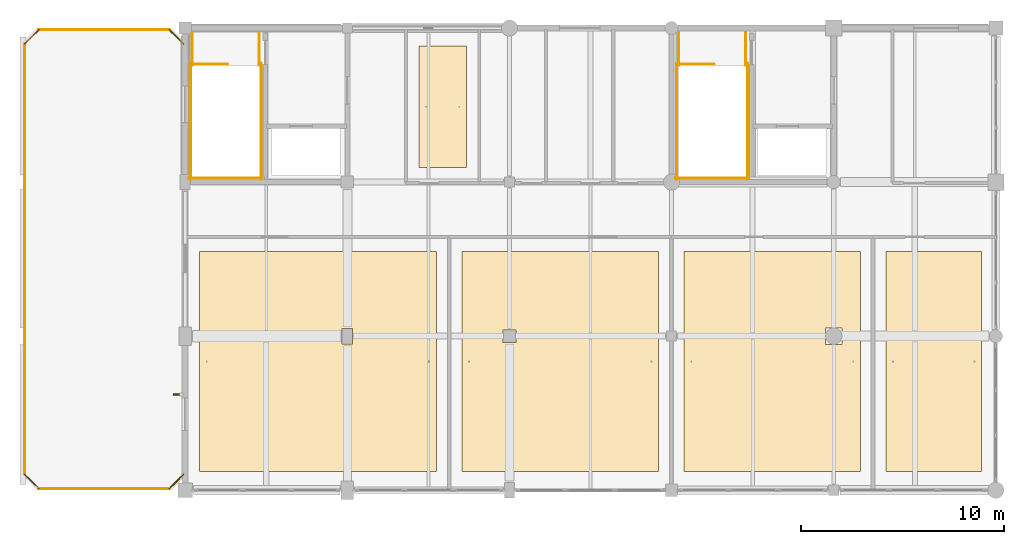
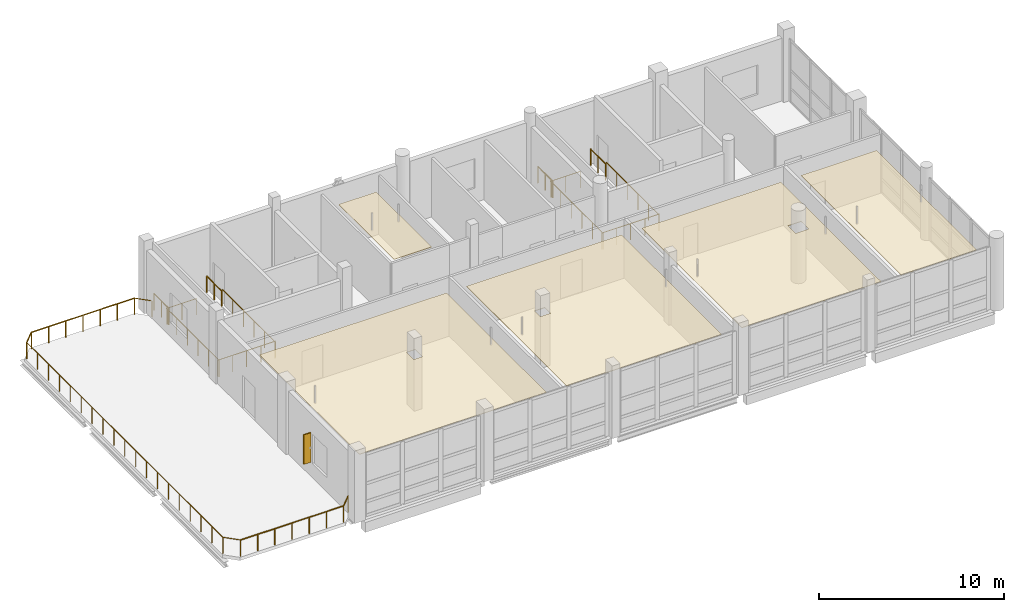
# One storey, part 18 of 18: 19 railings, 5 coverings, 1 shading device.
"""IFC4 building model written with IfcOpenShell, lengths in metres."""

import ifcopenshell
import ifcopenshell.guid

model = None  # the IFC model being written
_history = None  # IfcOwnerHistory: only IFC2X3 demands one
_inside = {}  # id of a spatial element -> (the spatial element, [elements in it])
_under = {}  # id of a project, library or spatial element -> (it, [spatial elements below it])
_declared = {}  # id of a project -> (the project, [libraries it declares])
_typed = {}  # id of a type object -> (the type object, [elements of that type])
_made_of = {}  # id of a material, layer set ... -> (it, [elements and type objects made of it])


def new_model(schema):
    """Start an empty IFC model of exactly this schema.

    Asked for "IFC4X3", IfcOpenShell would pick the latest addendum, in which some entities
    have other attributes; the version numbers below select the first issue.
    IFC2X3 requires an IfcOwnerHistory on every rooted entity: one is made here for all.
    """
    global model, _history
    if schema == "IFC4X3":
        model = ifcopenshell.file(schema_version=(4, 3, 0, 0))
    else:
        model = ifcopenshell.file(schema=schema)
    _inside.clear()
    _under.clear()
    _declared.clear()
    _typed.clear()
    _made_of.clear()
    _history = None
    if model.schema == "IFC2X3":
        org = make("IfcOrganization", Name="unknown")
        user = make(
            "IfcPersonAndOrganization",
            ThePerson=make("IfcPerson", FamilyName="unknown"),
            TheOrganization=org,
        )
        app = make(
            "IfcApplication",
            ApplicationDeveloper=org,
            Version="unknown",
            ApplicationFullName="unknown",
            ApplicationIdentifier="unknown",
        )
        _history = make(
            "IfcOwnerHistory",
            OwningUser=user,
            OwningApplication=app,
            ChangeAction="ADDED",
            CreationDate=0,
        )
    return model


def make(cls, **values):
    """One entity of the class cls with the attributes given. An attribute that is None is left unset."""
    return model.create_entity(
        cls, **{name: value for name, value in values.items() if value is not None}
    )


def rooted(cls, **values):
    """An entity with a GlobalId (a new one), such as an element, a storey or a relation."""
    return make(cls, GlobalId=ifcopenshell.guid.new(), OwnerHistory=_history, **values)


def si_unit(unit_type, name, prefix=None):
    """IfcSIUnit, for example si_unit("LENGTHUNIT", "METRE", prefix="MILLI")."""
    return make("IfcSIUnit", UnitType=unit_type, Prefix=prefix, Name=name)


def assignment(units):
    """IfcUnitAssignment: the units of a project."""
    return None if units is None else make("IfcUnitAssignment", Units=units)


def point(xyz):
    """IfcCartesianPoint."""
    return None if xyz is None else make("IfcCartesianPoint", Coordinates=xyz)


def direction(xyz):
    """IfcDirection."""
    return None if xyz is None else make("IfcDirection", DirectionRatios=xyz)


def frame(location, z_axis=None, x_axis=None):
    """IfcAxis2Placement3D, a coordinate frame: its origin and axes. An axis left out is left unset."""
    return make(
        "IfcAxis2Placement3D",
        Location=point(location),
        Axis=direction(z_axis),
        RefDirection=direction(x_axis),
    )


def frame_2d(location, x_axis=None):
    """IfcAxis2Placement2D, a coordinate frame in the plane: its origin and x axis."""
    return make(
        "IfcAxis2Placement2D", Location=point(location), RefDirection=direction(x_axis)
    )


def origin():
    """The frame at (0, 0, 0) with its axes left unset."""
    return frame((0.0, 0.0, 0.0))


def origin_2d():
    """The frame at (0, 0) in the plane with its x axis left unset."""
    return frame_2d((0.0, 0.0))


def place(relative_to, where):
    """IfcLocalPlacement: puts the frame where relative to a parent placement (None: the world)."""
    return make(
        "IfcLocalPlacement", PlacementRelTo=relative_to, RelativePlacement=where
    )


def context(
    kind, dimensions, precision=None, world=None, true_north=None, identifier=None
):
    """IfcGeometricRepresentationContext, for example the 3D "Model" context."""
    return make(
        "IfcGeometricRepresentationContext",
        ContextIdentifier=identifier,
        ContextType=kind,
        CoordinateSpaceDimension=dimensions,
        Precision=precision,
        WorldCoordinateSystem=world,
        TrueNorth=true_north,
    )


def subcontext(parent, identifier, kind, view, scale=None):
    """IfcGeometricRepresentationSubContext, for example "Body" below "Model"."""
    return make(
        "IfcGeometricRepresentationSubContext",
        ContextIdentifier=identifier,
        ContextType=kind,
        ParentContext=parent,
        TargetScale=scale,
        TargetView=view,
    )


def project(units=None, contexts=None):
    """IfcProject with its units and contexts."""
    return rooted(
        "IfcProject",
        Name="project",
        RepresentationContexts=contexts,
        UnitsInContext=assignment(units),
    )


def spatial(cls, under=None, at=None, **own):
    """A site, building, storey or space (cls), placed at a placement, below another one or the project."""
    s = rooted(cls, ObjectPlacement=at, **own)
    if under is not None:
        _under.setdefault(under.id(), (under, []))[1].append(s)
    return s


def polyline(points):
    """IfcPolyline through the points."""
    return make("IfcPolyline", Points=[point(p) for p in points])


def profile(cls, at=None, kind="AREA", **sizes):
    """A parametric profile (cls). Its sizes go by their IFC names, for example OverallWidth=200.0."""
    return make(cls, ProfileType=kind, Position=at, **sizes)


def rectangle(**sizes):
    """IfcRectangleProfileDef."""
    return profile("IfcRectangleProfileDef", **sizes)


def circle(**sizes):
    """IfcCircleProfileDef."""
    return profile("IfcCircleProfileDef", **sizes)


def outline(outer, holes=None, kind="AREA"):
    """IfcArbitraryClosedProfileDef: a profile drawn as a closed curve; with holes, ...WithVoids."""
    if holes is None:
        return make("IfcArbitraryClosedProfileDef", ProfileType=kind, OuterCurve=outer)
    return make(
        "IfcArbitraryProfileDefWithVoids",
        ProfileType=kind,
        OuterCurve=outer,
        InnerCurves=holes,
    )


def extrude(swept, where, along, depth):
    """IfcExtrudedAreaSolid: the profile swept, set in the frame where, extruded along a direction by depth."""
    return make(
        "IfcExtrudedAreaSolid",
        SweptArea=swept,
        Position=where,
        ExtrudedDirection=direction(along),
        Depth=depth,
    )


def shape(context_of_items, identifier, shape_type, items):
    """IfcShapeRepresentation: the items that make up one representation, for example the "Body"."""
    return make(
        "IfcShapeRepresentation",
        ContextOfItems=context_of_items,
        RepresentationIdentifier=identifier,
        RepresentationType=shape_type,
        Items=items,
    )


def material(Name=None, Category=None):
    """IfcMaterial."""
    return make("IfcMaterial", Name=Name, Category=Category)


def layer(
    of_material, thickness, ventilated=None, Name=None, Category=None, Priority=None
):
    """IfcMaterialLayer: one layer of a wall or slab, of a material (None: an air gap)."""
    return make(
        "IfcMaterialLayer",
        Material=of_material,
        LayerThickness=thickness,
        IsVentilated=ventilated,
        Name=Name,
        Category=Category,
        Priority=Priority,
    )


def layer_set(layers, Name=None):
    """IfcMaterialLayerSet."""
    return make("IfcMaterialLayerSet", MaterialLayers=layers, LayerSetName=Name)


def made_of(thing, what):
    """Note that an element or type object is made of a material, layer set ...; save() writes the relation."""
    if what is not None:
        _made_of.setdefault(what.id(), (what, []))[1].append(thing)
    return thing


def type_object(cls, material=None, **own):
    """A type object (cls), such as IfcWallType, which elements share."""
    return made_of(rooted(cls, **own), material)


def element(
    cls,
    number,
    at=None,
    inside=None,
    cuts=None,
    type_object=None,
    material=None,
    context=None,
    identifier="Body",
    shape_type=None,
    held_by="IfcProductDefinitionShape",
    body=None,
    shapes=None,
    **own,
):
    """One element of the class cls, such as IfcWall. Its Tag is "e" and its number.

    at: its placement. inside: the storey or other place that contains it. cuts: it is an
    opening in that element (IfcRelVoidsElement). A single representation is given by context,
    identifier, shape_type and body (its items); several are given by shapes. held_by: the class
    of the entity that holds the representations. save() writes the other relations.
    """
    e = rooted(cls, Tag="e%d" % number, ObjectPlacement=at, **own)
    if body is not None:
        shapes = [shape(context, identifier, shape_type, body)]
    if shapes is not None:
        e.Representation = make(held_by, Representations=shapes)
    if inside is not None:
        _inside.setdefault(inside.id(), (inside, []))[1].append(e)
    if cuts is not None:
        rooted(
            "IfcRelVoidsElement", RelatingBuildingElement=cuts, RelatedOpeningElement=e
        )
    if type_object is not None:
        _typed.setdefault(type_object.id(), (type_object, []))[1].append(e)
    return made_of(e, material)


def aggregate(whole, parts):
    """IfcRelAggregates: a whole, such as a stair, and the parts it consists of."""
    return rooted("IfcRelAggregates", RelatingObject=whole, RelatedObjects=parts)


def save(model, path):
    """Write the relations noted so far, then the file.

    IfcRelAggregates (storeys below a building ...), IfcRelContainedInSpatialStructure (elements
    in a storey), IfcRelDefinesByType, IfcRelAssociatesMaterial and IfcRelDeclares: one each for
    every whole, place, type object, material and project.
    """
    for whole, parts in _under.values():
        aggregate(whole, parts)
    for where, things in _inside.values():
        rooted(
            "IfcRelContainedInSpatialStructure",
            RelatedElements=things,
            RelatingStructure=where,
        )
    for kind, things in _typed.values():
        rooted("IfcRelDefinesByType", RelatedObjects=things, RelatingType=kind)
    for what, things in _made_of.values():
        rooted("IfcRelAssociatesMaterial", RelatedObjects=things, RelatingMaterial=what)
    for by, libraries in _declared.values():
        rooted("IfcRelDeclares", RelatingContext=by, RelatedDefinitions=libraries)
    model.write(path)


model = new_model("IFC4")

# Units and contexts
model_context = context("Model", 3, precision=1e-05, world=origin(), true_north=direction((0.0, 1.0)))
body_context = subcontext(model_context, "Body", "Model", "MODEL_VIEW")
ifc_project = project(units=[si_unit("LENGTHUNIT", "METRE"), si_unit("AREAUNIT", "SQUARE_METRE"), si_unit("VOLUMEUNIT", "CUBIC_METRE"), si_unit("PLANEANGLEUNIT", "RADIAN"), si_unit("MASSUNIT", "GRAM", prefix="KILO")], contexts=[model_context])

# Site, building, storey
site_placement = place(None, origin())
site = spatial("IfcSite", under=ifc_project, at=site_placement, CompositionType="ELEMENT")
building_placement = place(site_placement, origin())
building = spatial("IfcBuilding", under=site, at=building_placement, Name="Khelvaren Railside Concert Hall", CompositionType="ELEMENT")
storey_placement = place(building_placement, frame((0.0, 0.0, 24.60009765625)))
storey = spatial("IfcBuildingStorey", under=building, at=storey_placement, Name="L05", CompositionType="ELEMENT", Elevation=24.60009765625)

# Railings
ifc_material_1 = material(Name="Architectural stainless steel Grade 316", Category="steel")
railing_type_1 = type_object("IfcRailingType", Name="BAL77", PredefinedType="BALUSTRADE", material=ifc_material_1)
railing_1_placement = place(storey_placement, frame((136.780029296875, 91.280029296875, 0.0)))
element("IfcRailing", 1, at=railing_1_placement, inside=storey, type_object=railing_type_1, Name="Terrace Perimeter Balustrade V5-L05-S", PredefinedType="BALUSTRADE", context=body_context, shape_type="SweptSolid", body=[
    extrude(circle(Radius=0.02392578125, at=origin_2d()), frame((0.0, 0.0, 1.076171875), z_axis=(1.0, 0.0, 0.0), x_axis=(0.0, 1.0, 0.0)), (0.0, 0.0, 1.0), 6.43994140625),
    extrude(circle(Radius=0.02099609375, at=origin_2d()), origin(), (0.0, 0.0, 1.0), 1.052001953125),
    extrude(circle(Radius=0.02099609375, at=origin_2d()), frame((1.0732421875, 0.0, 0.0)), (0.0, 0.0, 1.0), 1.052001953125),
    extrude(circle(Radius=0.02099609375, at=origin_2d()), frame((2.146728515625, 0.0, 0.0)), (0.0, 0.0, 1.0), 1.052001953125),
    extrude(circle(Radius=0.02099609375, at=origin_2d()), frame((3.219970703125, 0.0, 0.0)), (0.0, 0.0, 1.0), 1.052001953125),
    extrude(circle(Radius=0.02099609375, at=origin_2d()), frame((4.293212890625, 0.0, 0.0)), (0.0, 0.0, 1.0), 1.052001953125),
    extrude(circle(Radius=0.02099609375, at=origin_2d()), frame((5.36669921875, 0.0, 0.0)), (0.0, 0.0, 1.0), 1.052001953125),
    extrude(circle(Radius=0.02099609375, at=origin_2d()), frame((6.43994140625, 0.0, 0.0)), (0.0, 0.0, 1.0), 1.052001953125),
])
railing_2_placement = place(storey_placement, frame((143.219970703125, 91.280029296875, 0.0)))
element("IfcRailing", 2, at=railing_2_placement, inside=storey, type_object=railing_type_1, Name="Terrace Perimeter Balustrade V5-L05-SE", PredefinedType="BALUSTRADE", context=body_context, shape_type="SweptSolid", body=[
    extrude(circle(Radius=0.02392578125, at=origin_2d()), frame((0.0, 0.0, 1.076171875), z_axis=(0.707106781187, 0.707106781187, 0.0), x_axis=(-0.707106781187, 0.707106781187, 0.0)), (0.0, 0.0, 1.0), 0.989990234375),
    extrude(circle(Radius=0.02099609375, at=origin_2d()), origin(), (0.0, 0.0, 1.0), 1.052001953125),
    extrude(circle(Radius=0.02099609375, at=origin_2d()), frame((0.699951171875, 0.699951171875, 0.0)), (0.0, 0.0, 1.0), 1.052001953125),
])
railing_3_placement = place(storey_placement, frame((143.919921875, 113.219970703125, 0.0)))
element("IfcRailing", 3, at=railing_3_placement, inside=storey, type_object=railing_type_1, Name="Terrace Perimeter Balustrade V5-L05-NE", PredefinedType="BALUSTRADE", context=body_context, shape_type="SweptSolid", body=[
    extrude(circle(Radius=0.02392578125, at=origin_2d()), frame((0.0, 0.0, 1.076171875), z_axis=(-0.707106781187, 0.707106781187, 0.0), x_axis=(-0.707106781187, -0.707106781187, 0.0)), (0.0, 0.0, 1.0), 0.989990234375),
    extrude(circle(Radius=0.02099609375, at=origin_2d()), origin(), (0.0, 0.0, 1.0), 1.052001953125),
    extrude(circle(Radius=0.02099609375, at=origin_2d()), frame((-0.699951171875, 0.699951171875, 0.0)), (0.0, 0.0, 1.0), 1.052001953125),
])
railing_4_placement = place(storey_placement, frame((143.219970703125, 113.919921875, 0.0)))
element("IfcRailing", 4, at=railing_4_placement, inside=storey, type_object=railing_type_1, Name="Terrace Perimeter Balustrade V5-L05-N", PredefinedType="BALUSTRADE", context=body_context, shape_type="SweptSolid", body=[
    extrude(circle(Radius=0.02392578125, at=origin_2d()), frame((0.0, 0.0, 1.076171875), z_axis=(-1.0, 0.0, 0.0), x_axis=(0.0, -1.0, 0.0)), (0.0, 0.0, 1.0), 6.43994140625),
    extrude(circle(Radius=0.02099609375, at=origin_2d()), origin(), (0.0, 0.0, 1.0), 1.052001953125),
    extrude(circle(Radius=0.02099609375, at=origin_2d()), frame((-1.0732421875, 0.0, 0.0)), (0.0, 0.0, 1.0), 1.052001953125),
    extrude(circle(Radius=0.02099609375, at=origin_2d()), frame((-2.146728515625, 0.0, 0.0)), (0.0, 0.0, 1.0), 1.052001953125),
    extrude(circle(Radius=0.02099609375, at=origin_2d()), frame((-3.219970703125, 0.0, 0.0)), (0.0, 0.0, 1.0), 1.052001953125),
    extrude(circle(Radius=0.02099609375, at=origin_2d()), frame((-4.293212890625, 0.0, 0.0)), (0.0, 0.0, 1.0), 1.052001953125),
    extrude(circle(Radius=0.02099609375, at=origin_2d()), frame((-5.36669921875, 0.0, 0.0)), (0.0, 0.0, 1.0), 1.052001953125),
    extrude(circle(Radius=0.02099609375, at=origin_2d()), frame((-6.43994140625, 0.0, 0.0)), (0.0, 0.0, 1.0), 1.052001953125),
])
railing_5_placement = place(storey_placement, frame((136.780029296875, 113.919921875, 0.0)))
element("IfcRailing", 5, at=railing_5_placement, inside=storey, type_object=railing_type_1, Name="Terrace Perimeter Balustrade V5-L05-NW", PredefinedType="BALUSTRADE", context=body_context, shape_type="SweptSolid", body=[
    extrude(circle(Radius=0.02392578125, at=origin_2d()), frame((0.0, 0.0, 1.076171875), z_axis=(-0.707106781187, -0.707106781187, 0.0), x_axis=(0.707106781187, -0.707106781187, 0.0)), (0.0, 0.0, 1.0), 0.989990234375),
    extrude(circle(Radius=0.02099609375, at=origin_2d()), origin(), (0.0, 0.0, 1.0), 1.052001953125),
    extrude(circle(Radius=0.02099609375, at=origin_2d()), frame((-0.699951171875, -0.699951171875, 0.0)), (0.0, 0.0, 1.0), 1.052001953125),
])
railing_6_placement = place(storey_placement, frame((136.080078125, 113.219970703125, 0.0)))
element("IfcRailing", 6, at=railing_6_placement, inside=storey, type_object=railing_type_1, Name="Terrace Perimeter Balustrade V5-L05-W", PredefinedType="BALUSTRADE", context=body_context, shape_type="SweptSolid", body=[
    extrude(circle(Radius=0.02392578125, at=origin_2d()), frame((0.0, 0.0, 1.076171875), z_axis=(0.0, -1.0, 0.0), x_axis=(1.0, 0.0, 0.0)), (0.0, 0.0, 1.0), 21.239990234375),
    extrude(circle(Radius=0.02099609375, at=origin_2d()), origin(), (0.0, 0.0, 1.0), 1.052001953125),
    extrude(circle(Radius=0.02099609375, at=origin_2d()), frame((0.0, -1.179931640625, 0.0)), (0.0, 0.0, 1.0), 1.052001953125),
    extrude(circle(Radius=0.02099609375, at=origin_2d()), frame((0.0, -2.360107421875, 0.0)), (0.0, 0.0, 1.0), 1.052001953125),
    extrude(circle(Radius=0.02099609375, at=origin_2d()), frame((0.0, -3.5400390625, 0.0)), (0.0, 0.0, 1.0), 1.052001953125),
    extrude(circle(Radius=0.02099609375, at=origin_2d()), frame((0.0, -4.719970703125, 0.0)), (0.0, 0.0, 1.0), 1.052001953125),
    extrude(circle(Radius=0.02099609375, at=origin_2d()), frame((0.0, -5.89990234375, 0.0)), (0.0, 0.0, 1.0), 1.052001953125),
    extrude(circle(Radius=0.02099609375, at=origin_2d()), frame((0.0, -7.080078125, 0.0)), (0.0, 0.0, 1.0), 1.052001953125),
    extrude(circle(Radius=0.02099609375, at=origin_2d()), frame((0.0, -8.260009765625, 0.0)), (0.0, 0.0, 1.0), 1.052001953125),
    extrude(circle(Radius=0.02099609375, at=origin_2d()), frame((0.0, -9.43994140625, 0.0)), (0.0, 0.0, 1.0), 1.052001953125),
    extrude(circle(Radius=0.02099609375, at=origin_2d()), frame((0.0, -10.6201171875, 0.0)), (0.0, 0.0, 1.0), 1.052001953125),
    extrude(circle(Radius=0.02099609375, at=origin_2d()), frame((0.0, -11.800048828125, 0.0)), (0.0, 0.0, 1.0), 1.052001953125),
    extrude(circle(Radius=0.02099609375, at=origin_2d()), frame((0.0, -12.97998046875, 0.0)), (0.0, 0.0, 1.0), 1.052001953125),
    extrude(circle(Radius=0.02099609375, at=origin_2d()), frame((0.0, -14.159912109375, 0.0)), (0.0, 0.0, 1.0), 1.052001953125),
    extrude(circle(Radius=0.02099609375, at=origin_2d()), frame((0.0, -15.340087890625, 0.0)), (0.0, 0.0, 1.0), 1.052001953125),
    extrude(circle(Radius=0.02099609375, at=origin_2d()), frame((0.0, -16.52001953125, 0.0)), (0.0, 0.0, 1.0), 1.052001953125),
    extrude(circle(Radius=0.02099609375, at=origin_2d()), frame((0.0, -17.699951171875, 0.0)), (0.0, 0.0, 1.0), 1.052001953125),
    extrude(circle(Radius=0.02099609375, at=origin_2d()), frame((0.0, -18.8798828125, 0.0)), (0.0, 0.0, 1.0), 1.052001953125),
    extrude(circle(Radius=0.02099609375, at=origin_2d()), frame((0.0, -20.06005859375, 0.0)), (0.0, 0.0, 1.0), 1.052001953125),
    extrude(circle(Radius=0.02099609375, at=origin_2d()), frame((0.0, -21.239990234375, 0.0)), (0.0, 0.0, 1.0), 1.052001953125),
])
railing_7_placement = place(storey_placement, frame((136.080078125, 91.97998046875, 0.0)))
element("IfcRailing", 7, at=railing_7_placement, inside=storey, type_object=railing_type_1, Name="Terrace Perimeter Balustrade V5-L05-SW", PredefinedType="BALUSTRADE", context=body_context, shape_type="SweptSolid", body=[
    extrude(circle(Radius=0.02392578125, at=origin_2d()), frame((0.0, 0.0, 1.076171875), z_axis=(0.707106781187, -0.707106781187, 0.0), x_axis=(0.707106781187, 0.707106781187, 0.0)), (0.0, 0.0, 1.0), 0.989990234375),
    extrude(circle(Radius=0.02099609375, at=origin_2d()), origin(), (0.0, 0.0, 1.0), 1.052001953125),
    extrude(circle(Radius=0.02099609375, at=origin_2d()), frame((0.699951171875, -0.699951171875, 0.0)), (0.0, 0.0, 1.0), 1.052001953125),
])

# Coverings
ifc_material_2 = material(Name="Mineral-wool acoustic baffle ceiling", Category="gypsum")
ifc_layer_1 = layer(ifc_material_2, 0.0400390625)
ifc_layer_set_1 = layer_set([ifc_layer_1], Name="Mineral-wool acoustic baffle ceiling")
covering_type_1 = type_object("IfcCoveringType", Name="CLG20", PredefinedType="CEILING", material=ifc_layer_set_1)
covering_1_placement = place(storey_placement, frame((0.0, 0.0, 3.409912109375)))
element("IfcCovering", 8, at=covering_1_placement, inside=storey, type_object=covering_type_1, Name="Suspended Acoustic Ceiling Soloist Masterclass Recital Room", PredefinedType="CEILING", context=body_context, shape_type="SweptSolid", body=[
    extrude(outline(polyline([(157.657958984375, 92.1298828125), (167.35400390625, 92.1298828125), (167.35400390625, 102.969970703125), (157.657958984375, 102.969970703125), (157.657958984375, 92.1298828125)]), holes=[polyline([(159.68505859375, 98.485107421875), (160.31494140625, 98.485107421875), (160.31494140625, 99.114990234375), (159.68505859375, 99.114990234375), (159.68505859375, 98.485107421875)])]), origin(), (0.0, 0.0, 1.0), 0.0400390625),
])
covering_2_placement = place(storey_placement, frame((0.0, 0.0, 3.409912109375)))
element("IfcCovering", 9, at=covering_2_placement, inside=storey, type_object=covering_type_1, Name="Suspended Acoustic Ceiling Programme Administration Office", PredefinedType="CEILING", context=body_context, shape_type="SweptSolid", body=[
    extrude(outline(polyline([(178.573974609375, 92.1298828125), (183.2900390625, 92.1298828125), (183.2900390625, 102.969970703125), (178.573974609375, 102.969970703125), (178.573974609375, 92.1298828125)])), origin(), (0.0, 0.0, 1.0), 0.0400390625),
])
ifc_material_3 = material(Name="Micro-perforated timber acoustic ceiling", Category="wood")
ifc_layer_2 = layer(ifc_material_3, 0.030029296875)
ifc_layer_set_2 = layer_set([ifc_layer_2], Name="Micro-perforated timber acoustic ceiling")
covering_type_2 = type_object("IfcCoveringType", Name="CLG77", PredefinedType="CEILING", material=ifc_layer_set_2)
covering_3_placement = place(storey_placement, frame((0.0, 0.0, 3.419921875)))
element("IfcCovering", 10, at=covering_3_placement, inside=storey, type_object=covering_type_2, Name="Suspended Acoustic Ceiling Conservatory Masterclass Seminar Hall", PredefinedType="CEILING", context=body_context, shape_type="SweptSolid", body=[
    extrude(outline(polyline([(144.7099609375, 92.1298828125), (156.39794921875, 92.1298828125), (156.39794921875, 102.969970703125), (144.7099609375, 102.969970703125), (144.7099609375, 92.1298828125)]), holes=[polyline([(151.735107421875, 98.409912109375), (152.264892578125, 98.409912109375), (152.264892578125, 99.18994140625), (151.735107421875, 99.18994140625), (151.735107421875, 98.409912109375)])]), origin(), (0.0, 0.0, 1.0), 0.030029296875),
])
covering_4_placement = place(storey_placement, frame((0.0, 0.0, 3.419921875)))
element("IfcCovering", 11, at=covering_4_placement, inside=storey, type_object=covering_type_2, Name="Suspended Acoustic Ceiling Historical Audio Restoration Laboratory", PredefinedType="CEILING", context=body_context, shape_type="SweptSolid", body=[
    extrude(outline(polyline([(168.614013671875, 92.1298828125), (177.31396484375, 92.1298828125), (177.31396484375, 102.969970703125), (168.614013671875, 102.969970703125), (168.614013671875, 92.1298828125)]), holes=[polyline([(175.5849609375, 98.385009765625), (176.4150390625, 98.385009765625), (176.4150390625, 99.215087890625), (175.5849609375, 99.215087890625), (175.5849609375, 98.385009765625)])]), origin(), (0.0, 0.0, 1.0), 0.030029296875),
])
covering_5_placement = place(storey_placement, frame((0.0, 0.0, 3.419921875)))
element("IfcCovering", 12, at=covering_5_placement, inside=storey, type_object=covering_type_2, Name="Suspended Acoustic Ceiling Backstage Linen Store L05", PredefinedType="CEILING", context=body_context, shape_type="SweptSolid", body=[
    extrude(outline(polyline([(155.530029296875, 107.1298828125), (157.8759765625, 107.1298828125), (157.8759765625, 113.1201171875), (155.530029296875, 113.1201171875), (155.530029296875, 107.1298828125)])), origin(), (0.0, 0.0, 1.0), 0.030029296875),
])

# Railings
ifc_material_4 = material(Name="Painted architectural steel", Category="steel")
railing_type_2 = type_object("IfcRailingType", Name="GRD86", PredefinedType="GUARDRAIL", material=ifc_material_4)
railing_8_placement = place(storey_placement, frame((144.300048828125, 112.2099609375, 0.0)))
element("IfcRailing", 13, at=railing_8_placement, inside=storey, type_object=railing_type_2, Name="L05 ST-09 top well guard 1", PredefinedType="GUARDRAIL", context=body_context, shape_type="SweptSolid", body=[
    extrude(circle(Radius=0.02392578125, at=origin_2d()), frame((0.0, 0.0, 1.076171875), z_axis=(1.0, 0.0, 0.0), x_axis=(0.0, 1.0, 0.0)), (0.0, 0.0, 1.0), 1.800048828125),
    extrude(circle(Radius=0.02099609375, at=origin_2d()), origin(), (0.0, 0.0, 1.0), 1.052001953125),
    extrude(circle(Radius=0.02099609375, at=origin_2d()), frame((0.89990234375, 0.0, 0.0)), (0.0, 0.0, 1.0), 1.052001953125),
    extrude(circle(Radius=0.02099609375, at=origin_2d()), frame((1.800048828125, 0.0, 0.0)), (0.0, 0.0, 1.0), 1.052001953125),
])
for number, where, name in (
    (14, (144.25, 112.260009765625, 0.0), "L05 ST-09 top well guard 2"),
    (15, (147.75, 112.260009765625, 0.0), "L05 ST-09 top well guard 3"),
):
    element("IfcRailing", number, at=place(storey_placement, frame(where)), inside=storey, type_object=railing_type_2, Name=name, PredefinedType="GUARDRAIL", context=body_context, shape_type="SweptSolid", body=[
        extrude(circle(Radius=0.02392578125, at=origin_2d()), frame((0.0, 0.0, 1.076171875), z_axis=(0.0, -1.0, 0.0), x_axis=(1.0, 0.0, 0.0)), (0.0, 0.0, 1.0), 5.719970703125),
        extrude(circle(Radius=0.02099609375, at=origin_2d()), origin(), (0.0, 0.0, 1.0), 1.052001953125),
        extrude(circle(Radius=0.02099609375, at=origin_2d()), frame((0.0, -1.14404296875, 0.0)), (0.0, 0.0, 1.0), 1.052001953125),
        extrude(circle(Radius=0.02099609375, at=origin_2d()), frame((0.0, -2.2880859375, 0.0)), (0.0, 0.0, 1.0), 1.052001953125),
        extrude(circle(Radius=0.02099609375, at=origin_2d()), frame((0.0, -3.431884765625, 0.0)), (0.0, 0.0, 1.0), 1.052001953125),
        extrude(circle(Radius=0.02099609375, at=origin_2d()), frame((0.0, -4.575927734375, 0.0)), (0.0, 0.0, 1.0), 1.052001953125),
        extrude(circle(Radius=0.02099609375, at=origin_2d()), frame((0.0, -5.719970703125, 0.0)), (0.0, 0.0, 1.0), 1.052001953125),
    ])
railing_9_placement = place(storey_placement, frame((144.199951171875, 106.590087890625, 0.0)))
element("IfcRailing", 16, at=railing_9_placement, inside=storey, type_object=railing_type_2, Name="L05 ST-09 top well guard 4", PredefinedType="GUARDRAIL", context=body_context, shape_type="SweptSolid", body=[
    extrude(circle(Radius=0.02392578125, at=origin_2d()), frame((0.0, 0.0, 1.076171875), z_axis=(1.0, 0.0, 0.0), x_axis=(0.0, 1.0, 0.0)), (0.0, 0.0, 1.0), 3.60009765625),
    extrude(circle(Radius=0.02099609375, at=origin_2d()), origin(), (0.0, 0.0, 1.0), 1.052001953125),
    extrude(circle(Radius=0.02099609375, at=origin_2d()), frame((0.89990234375, 0.0, 0.0)), (0.0, 0.0, 1.0), 1.052001953125),
    extrude(circle(Radius=0.02099609375, at=origin_2d()), frame((1.800048828125, 0.0, 0.0)), (0.0, 0.0, 1.0), 1.052001953125),
    extrude(circle(Radius=0.02099609375, at=origin_2d()), frame((2.7001953125, 0.0, 0.0)), (0.0, 0.0, 1.0), 1.052001953125),
    extrude(circle(Radius=0.02099609375, at=origin_2d()), frame((3.60009765625, 0.0, 0.0)), (0.0, 0.0, 1.0), 1.052001953125),
])
for number, where, name in (
    (17, (144.35009765625, 113.760009765625, 0.0), "L05 ST-09 top well guard 5"),
    (18, (147.64990234375, 113.760009765625, 0.0), "L05 ST-09 top well guard 6"),
):
    element("IfcRailing", number, at=place(storey_placement, frame(where)), inside=storey, type_object=railing_type_2, Name=name, PredefinedType="GUARDRAIL", context=body_context, shape_type="SweptSolid", body=[
        extrude(circle(Radius=0.02392578125, at=origin_2d()), frame((0.0, 0.0, 1.076171875), z_axis=(0.0, -1.0, 0.0), x_axis=(1.0, 0.0, 0.0)), (0.0, 0.0, 1.0), 1.60009765625),
        extrude(circle(Radius=0.02099609375, at=origin_2d()), origin(), (0.0, 0.0, 1.0), 1.052001953125),
        extrude(circle(Radius=0.02099609375, at=origin_2d()), frame((0.0, -0.800048828125, 0.0)), (0.0, 0.0, 1.0), 1.052001953125),
        extrude(circle(Radius=0.02099609375, at=origin_2d()), frame((0.0, -1.60009765625, 0.0)), (0.0, 0.0, 1.0), 1.052001953125),
    ])
railing_10_placement = place(storey_placement, frame((168.300048828125, 112.2099609375, 0.0)))
element("IfcRailing", 19, at=railing_10_placement, inside=storey, type_object=railing_type_2, Name="L05 ST-10 top well guard 1", PredefinedType="GUARDRAIL", context=body_context, shape_type="SweptSolid", body=[
    extrude(circle(Radius=0.02392578125, at=origin_2d()), frame((0.0, 0.0, 1.076171875), z_axis=(1.0, 0.0, 0.0), x_axis=(0.0, 1.0, 0.0)), (0.0, 0.0, 1.0), 1.800048828125),
    extrude(circle(Radius=0.02099609375, at=origin_2d()), origin(), (0.0, 0.0, 1.0), 1.052001953125),
    extrude(circle(Radius=0.02099609375, at=origin_2d()), frame((0.89990234375, 0.0, 0.0)), (0.0, 0.0, 1.0), 1.052001953125),
    extrude(circle(Radius=0.02099609375, at=origin_2d()), frame((1.800048828125, 0.0, 0.0)), (0.0, 0.0, 1.0), 1.052001953125),
])
for number, where, name in (
    (20, (168.25, 112.260009765625, 0.0), "L05 ST-10 top well guard 2"),
    (21, (171.75, 112.260009765625, 0.0), "L05 ST-10 top well guard 3"),
):
    element("IfcRailing", number, at=place(storey_placement, frame(where)), inside=storey, type_object=railing_type_2, Name=name, PredefinedType="GUARDRAIL", context=body_context, shape_type="SweptSolid", body=[
        extrude(circle(Radius=0.02392578125, at=origin_2d()), frame((0.0, 0.0, 1.076171875), z_axis=(0.0, -1.0, 0.0), x_axis=(1.0, 0.0, 0.0)), (0.0, 0.0, 1.0), 5.719970703125),
        extrude(circle(Radius=0.02099609375, at=origin_2d()), origin(), (0.0, 0.0, 1.0), 1.052001953125),
        extrude(circle(Radius=0.02099609375, at=origin_2d()), frame((0.0, -1.14404296875, 0.0)), (0.0, 0.0, 1.0), 1.052001953125),
        extrude(circle(Radius=0.02099609375, at=origin_2d()), frame((0.0, -2.2880859375, 0.0)), (0.0, 0.0, 1.0), 1.052001953125),
        extrude(circle(Radius=0.02099609375, at=origin_2d()), frame((0.0, -3.431884765625, 0.0)), (0.0, 0.0, 1.0), 1.052001953125),
        extrude(circle(Radius=0.02099609375, at=origin_2d()), frame((0.0, -4.575927734375, 0.0)), (0.0, 0.0, 1.0), 1.052001953125),
        extrude(circle(Radius=0.02099609375, at=origin_2d()), frame((0.0, -5.719970703125, 0.0)), (0.0, 0.0, 1.0), 1.052001953125),
    ])
railing_11_placement = place(storey_placement, frame((168.199951171875, 106.590087890625, 0.0)))
element("IfcRailing", 22, at=railing_11_placement, inside=storey, type_object=railing_type_2, Name="L05 ST-10 top well guard 4", PredefinedType="GUARDRAIL", context=body_context, shape_type="SweptSolid", body=[
    extrude(circle(Radius=0.02392578125, at=origin_2d()), frame((0.0, 0.0, 1.076171875), z_axis=(1.0, 0.0, 0.0), x_axis=(0.0, 1.0, 0.0)), (0.0, 0.0, 1.0), 3.60009765625),
    extrude(circle(Radius=0.02099609375, at=origin_2d()), origin(), (0.0, 0.0, 1.0), 1.052001953125),
    extrude(circle(Radius=0.02099609375, at=origin_2d()), frame((0.89990234375, 0.0, 0.0)), (0.0, 0.0, 1.0), 1.052001953125),
    extrude(circle(Radius=0.02099609375, at=origin_2d()), frame((1.800048828125, 0.0, 0.0)), (0.0, 0.0, 1.0), 1.052001953125),
    extrude(circle(Radius=0.02099609375, at=origin_2d()), frame((2.7001953125, 0.0, 0.0)), (0.0, 0.0, 1.0), 1.052001953125),
    extrude(circle(Radius=0.02099609375, at=origin_2d()), frame((3.60009765625, 0.0, 0.0)), (0.0, 0.0, 1.0), 1.052001953125),
])
for number, where, name in (
    (23, (168.35009765625, 113.760009765625, 0.0), "L05 ST-10 top well guard 5"),
    (24, (171.64990234375, 113.760009765625, 0.0), "L05 ST-10 top well guard 6"),
):
    element("IfcRailing", number, at=place(storey_placement, frame(where)), inside=storey, type_object=railing_type_2, Name=name, PredefinedType="GUARDRAIL", context=body_context, shape_type="SweptSolid", body=[
        extrude(circle(Radius=0.02392578125, at=origin_2d()), frame((0.0, 0.0, 1.076171875), z_axis=(0.0, -1.0, 0.0), x_axis=(1.0, 0.0, 0.0)), (0.0, 0.0, 1.0), 1.60009765625),
        extrude(circle(Radius=0.02099609375, at=origin_2d()), origin(), (0.0, 0.0, 1.0), 1.052001953125),
        extrude(circle(Radius=0.02099609375, at=origin_2d()), frame((0.0, -0.800048828125, 0.0)), (0.0, 0.0, 1.0), 1.052001953125),
        extrude(circle(Radius=0.02099609375, at=origin_2d()), frame((0.0, -1.60009765625, 0.0)), (0.0, 0.0, 1.0), 1.052001953125),
    ])

# Shading device
ifc_material_5 = material(Name="Anodised bronze aluminium 6063-T6", Category="aluminium")
shading_device_type = type_object("IfcShadingDeviceType", Name="SFN18", PredefinedType="USERDEFINED", material=ifc_material_5)
shading_device_placement = place(storey_placement, frame((143.6298828125, 95.929931640625, 0.94970703125), z_axis=(0.0, 0.0, 1.0), x_axis=(0.0, 1.0, 0.0)))
element("IfcShadingDevice", 25, at=shading_device_placement, inside=storey, type_object=shading_device_type, Name="Bronze Solar Shading Fin EW-V5-L05-W-91", ObjectType="SOLAR FIN", PredefinedType="USERDEFINED", context=body_context, shape_type="SweptSolid", body=[
    extrude(rectangle(XDim=0.080078125, YDim=0.449951171875, at=origin_2d()), origin(), (0.0, 0.0, 1.0), 1.949951171875),
])

save(model, "model.ifc")
